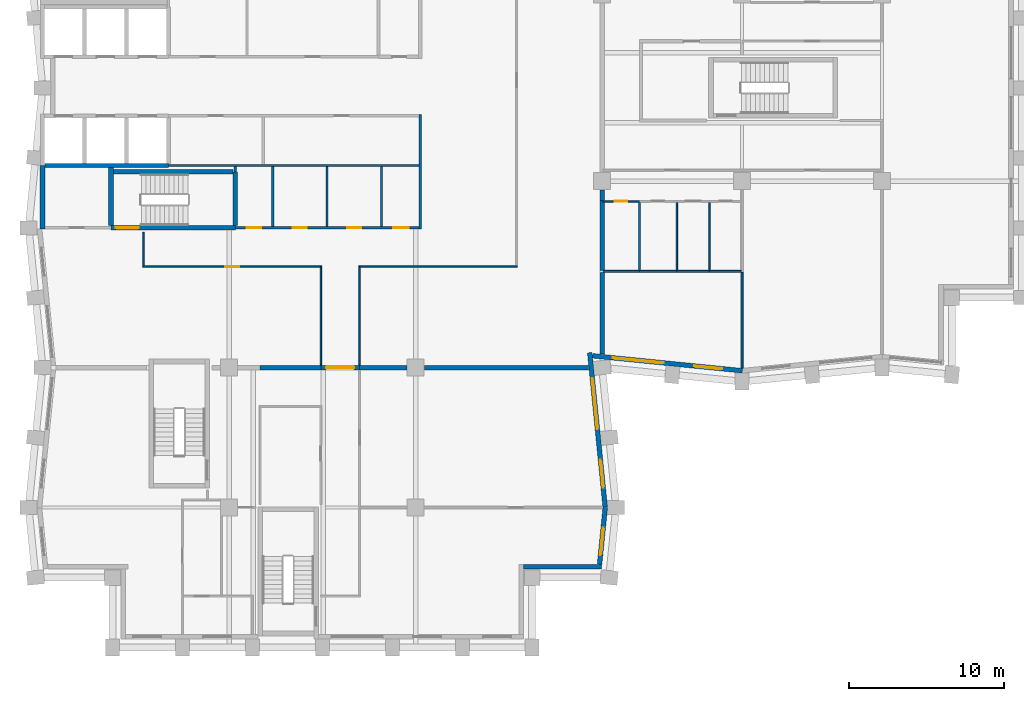
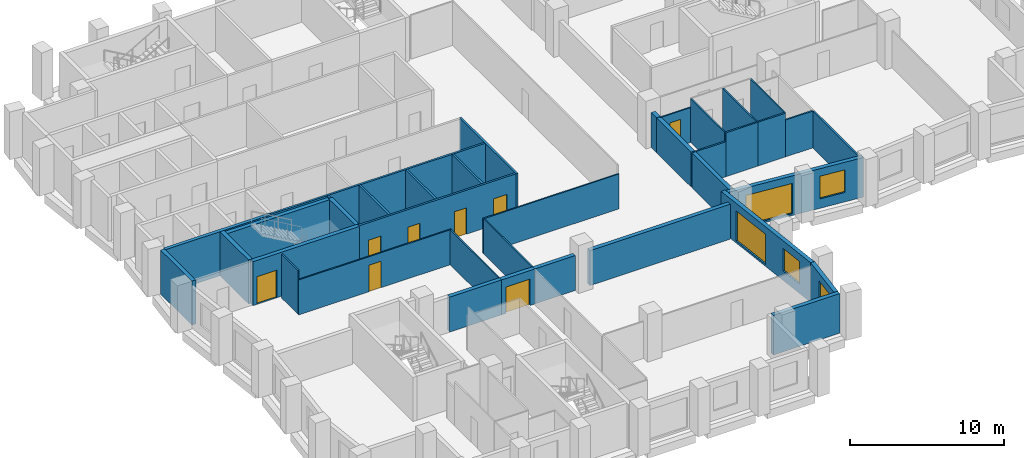
# One storey, part 4 of 10: 38 walls, 8 doors, 5 windows, 13 openings.
"""IFC4 building model written with IfcOpenShell, lengths in metres."""

from ifc_helpers import new_model, si_unit, direction, frame, frame_2d, origin, place, context, subcontext, project, spatial, rectangle, extrude, material, layer, layer_set, type_object, element, fill, save


model = new_model("IFC4")

# Units and contexts
model_context = context("Model", 3, precision=1e-05, world=origin(), true_north=direction((0.0, 1.0)))
body_context = subcontext(model_context, "Body", "Model", "MODEL_VIEW")
ifc_project = project(units=[si_unit("LENGTHUNIT", "METRE"), si_unit("AREAUNIT", "SQUARE_METRE"), si_unit("VOLUMEUNIT", "CUBIC_METRE"), si_unit("PLANEANGLEUNIT", "RADIAN"), si_unit("MASSUNIT", "GRAM", prefix="KILO")], contexts=[model_context])

# Site, building, storey
site_placement = place(None, origin())
site = spatial("IfcSite", under=ifc_project, at=site_placement, CompositionType="ELEMENT")
building_placement = place(site_placement, origin())
building = spatial("IfcBuilding", under=site, at=building_placement, Name="Brondeck Convention Tower", CompositionType="ELEMENT")
storey_placement = place(building_placement, frame((0.0, 0.0, 147.199951171875)))
storey = spatial("IfcBuildingStorey", under=building, at=storey_placement, Name="L35", CompositionType="ELEMENT", Elevation=147.199951171875)

# Wall
ifc_material_1 = material(Name="Concrete compartment wall C30/37", Category="concrete")
ifc_layer_1 = layer(ifc_material_1, 0.300048828125)
ifc_layer_set_1 = layer_set([ifc_layer_1], Name="Compartment wall 300")
wall_type_1 = type_object("IfcWallType", Name="Compartment wall 300", PredefinedType="PARTITIONING", material=ifc_layer_set_1)
wall_1_placement = place(storey_placement, frame((14.0, 27.0, 0.0), z_axis=(0.0, 0.0, 1.0), x_axis=(1.0, 0.0, 0.0)))
element("IfcWall", 1, at=wall_1_placement, inside=storey, type_object=wall_type_1, Name="FLR-L35-W023", PredefinedType="PARTITIONING", context=body_context, shape_type="SweptSolid", body=[
    extrude(rectangle(XDim=3.89990234375, YDim=0.300048828125, at=frame_2d((1.949951171875, 0.0))), origin(), (0.0, 0.0, 1.0), 2.780029296875),
])

# Wall, opening, door
wall_2_placement = place(storey_placement, frame((20.39990234375, 27.0, 0.0), z_axis=(0.0, 0.0, 1.0), x_axis=(-1.0, 0.0, 0.0)))
wall_2 = element("IfcWall", 2, at=wall_2_placement, inside=storey, type_object=wall_type_1, Name="FLR-L35-W024", PredefinedType="PARTITIONING", context=body_context, shape_type="SweptSolid", body=[
    extrude(rectangle(XDim=2.5, YDim=0.300048828125, at=frame_2d((1.25, 0.0))), origin(), (0.0, 0.0, 1.0), 2.780029296875),
])
opening_1_placement = place(wall_2_placement, frame((0.35009765625, 0.0, 0.0)))
opening_1 = element("IfcOpeningElement", 3, at=opening_1_placement, cuts=wall_2, Name="Opening OF-F2-018", PredefinedType="OPENING", context=body_context, shape_type="SweptSolid", body=[
    extrude(rectangle(XDim=1.800048828125, YDim=2.10009765625, at=frame_2d((0.89990234375, 1.050048828125))), frame((0.0, 0.159912109375, 0.0), z_axis=(0.0, -1.0, 0.0), x_axis=(1.0, 0.0, 0.0)), (0.0, 0.0, 1.0), 0.320068359375),
])
ifc_material_2 = material(Name="Steel fire door pair", Category="steel")
door_type_1 = type_object("IfcDoorType", Name="Fire door pair 1800", OperationType="DOUBLE_DOOR_SINGLE_SWING", PredefinedType="DOOR", material=ifc_material_2)
door_1_placement = place(opening_1_placement, origin())
door_1 = element("IfcDoor", 4, at=door_1_placement, inside=storey, type_object=door_type_1, Name="Door OF-F2-018", OperationType="DOUBLE_DOOR_SINGLE_SWING", OverallHeight=2.10009765625, OverallWidth=1.800048828125, PredefinedType="DOOR", context=body_context, shape_type="SweptSolid", body=[
    extrude(rectangle(XDim=1.800048828125, YDim=2.10009765625, at=frame_2d((0.89990234375, 1.050048828125))), frame((0.0, 0.02490234375, 0.0), z_axis=(0.0, -1.0, 0.0), x_axis=(1.0, 0.0, 0.0)), (0.0, 0.0, 1.0), 0.050048828125),
])
fill(opening_1, door_1)

# Walls
wall_3_placement = place(storey_placement, frame((20.39990234375, 27.0, 0.0), z_axis=(0.0, 0.0, 1.0), x_axis=(1.0, 0.0, 0.0)))
element("IfcWall", 5, at=wall_3_placement, inside=storey, type_object=wall_type_1, Name="FLR-L35-W025", PredefinedType="PARTITIONING", context=body_context, shape_type="SweptSolid", body=[
    extrude(rectangle(XDim=3.045166015625, YDim=0.300048828125, at=frame_2d((1.5224609375, 0.0))), origin(), (0.0, 0.0, 1.0), 2.780029296875),
])
wall_4_placement = place(storey_placement, frame((24.554931640625, 27.0, 0.0), z_axis=(0.0, 0.0, 1.0), x_axis=(1.0, 0.0, 0.0)))
element("IfcWall", 6, at=wall_4_placement, inside=storey, type_object=wall_type_1, Name="FLR-L35-W026", PredefinedType="PARTITIONING", context=body_context, shape_type="SweptSolid", body=[
    extrude(rectangle(XDim=10.57080078125, YDim=0.300048828125, at=frame_2d((5.285400390625, 0.0))), origin(), (0.0, 0.0, 1.0), 2.780029296875),
])
wall_5_placement = place(storey_placement, frame((36.0, 27.874267578125, 0.0), z_axis=(0.0, 0.0, 1.0), x_axis=(0.0, 1.0, 0.0)))
element("IfcWall", 7, at=wall_5_placement, inside=storey, type_object=wall_type_1, Name="FLR-L35-W029", PredefinedType="PARTITIONING", context=body_context, shape_type="SweptSolid", body=[
    extrude(rectangle(XDim=5.26318359375, YDim=0.300048828125, at=frame_2d((2.631591796875, 0.0))), origin(), (0.0, 0.0, 1.0), 2.780029296875),
])
wall_6_placement = place(storey_placement, frame((36.0, 33.262451171875, 0.0), z_axis=(0.0, 0.0, 1.0), x_axis=(0.0, 1.0, 0.0)))
element("IfcWall", 8, at=wall_6_placement, inside=storey, type_object=wall_type_1, Name="FLR-L35-W035", PredefinedType="PARTITIONING", context=body_context, shape_type="SweptSolid", body=[
    extrude(rectangle(XDim=4.482666015625, YDim=0.300048828125, at=frame_2d((2.2412109375, 0.0))), origin(), (0.0, 0.0, 1.0), 2.780029296875),
])
wall_7_placement = place(storey_placement, frame((36.0, 37.75, 0.0), z_axis=(0.0, 0.0, 1.0), x_axis=(0.0, 1.0, 0.0)))
element("IfcWall", 9, at=wall_7_placement, inside=storey, type_object=wall_type_1, Name="FLR-L35-W048", PredefinedType="PARTITIONING", context=body_context, shape_type="SweptSolid", body=[
    extrude(rectangle(XDim=0.695068359375, YDim=0.300048828125, at=frame_2d((0.34765625, 0.0))), origin(), (0.0, 0.0, 1.0), 2.780029296875),
])

# Wall, openings, doors
ifc_material_3 = material(Name="Concrete C70/85", Category="concrete")
ifc_layer_2 = layer(ifc_material_3, 0.14990234375)
ifc_layer_set_2 = layer_set([ifc_layer_2], Name="Core beam-seat wall 150 Concrete C70/85")
wall_type_2 = type_object("IfcWallType", Name="Core beam-seat wall 150 Concrete C70/85", PredefinedType="SHEAR", material=ifc_layer_set_2)
wall_8_placement = place(storey_placement, frame((12.39990234375, 36.0, 0.0), z_axis=(0.0, 0.0, 1.0), x_axis=(1.0, 0.0, 0.0)))
wall_8 = element("IfcWall", 10, at=wall_8_placement, inside=storey, type_object=wall_type_2, Name="L35 core wall", PredefinedType="SHEAR", context=body_context, shape_type="SweptSolid", body=[
    extrude(rectangle(XDim=11.8251953125, YDim=0.14990234375, at=frame_2d((5.91259765625, 0.0))), origin(), (0.0, 0.0, 1.0), 3.5),
])
opening_2_placement = place(wall_8_placement, frame((0.72509765625, 0.0, 0.0)))
opening_2 = element("IfcOpeningElement", 11, at=opening_2_placement, cuts=wall_8, Name="Opening C21-03", PredefinedType="OPENING", context=body_context, shape_type="SweptSolid", body=[
    extrude(rectangle(XDim=0.949951171875, YDim=2.10009765625, at=frame_2d((0.47509765625, 1.050048828125))), frame((0.0, 0.0849609375, 0.0), z_axis=(0.0, -1.0, 0.0), x_axis=(1.0, 0.0, 0.0)), (0.0, 0.0, 1.0), 0.169921875),
])
opening_3_placement = place(wall_8_placement, frame((3.699951171875, 0.0, 0.0)))
opening_3 = element("IfcOpeningElement", 12, at=opening_3_placement, cuts=wall_8, Name="Opening C21-04", PredefinedType="OPENING", context=body_context, shape_type="SweptSolid", body=[
    extrude(rectangle(XDim=0.89990234375, YDim=2.10009765625, at=frame_2d((0.449951171875, 1.050048828125))), frame((0.0, 0.0849609375, 0.0), z_axis=(0.0, -1.0, 0.0), x_axis=(1.0, 0.0, 0.0)), (0.0, 0.0, 1.0), 0.169921875),
])
opening_4_placement = place(wall_8_placement, frame((7.199951171875, 0.0, 0.0)))
opening_4 = element("IfcOpeningElement", 13, at=opening_4_placement, cuts=wall_8, Name="Opening C21-05", PredefinedType="OPENING", context=body_context, shape_type="SweptSolid", body=[
    extrude(rectangle(XDim=0.89990234375, YDim=2.10009765625, at=frame_2d((0.449951171875, 1.050048828125))), frame((0.0, 0.0849609375, 0.0), z_axis=(0.0, -1.0, 0.0), x_axis=(1.0, 0.0, 0.0)), (0.0, 0.0, 1.0), 0.169921875),
])
opening_5_placement = place(wall_8_placement, frame((10.14990234375, 0.0, 0.0)))
opening_5 = element("IfcOpeningElement", 14, at=opening_5_placement, cuts=wall_8, Name="Opening C21-06", PredefinedType="OPENING", context=body_context, shape_type="SweptSolid", body=[
    extrude(rectangle(XDim=1.0, YDim=2.10009765625, at=frame_2d((0.5, 1.050048828125))), frame((0.0, 0.0849609375, 0.0), z_axis=(0.0, -1.0, 0.0), x_axis=(1.0, 0.0, 0.0)), (0.0, 0.0, 1.0), 0.169921875),
])
ifc_material_4 = material(Name="Steel fire door", Category="steel")
door_type_2 = type_object("IfcDoorType", Name="Room door 1000x2100 EI 60", OperationType="NOTDEFINED", PredefinedType="DOOR", material=ifc_material_4)
door_2_placement = place(opening_5_placement, origin())
door_2 = element("IfcDoor", 15, at=door_2_placement, inside=storey, type_object=door_type_2, Name="L35 Room door FR-4", OperationType="SINGLE_SWING_LEFT", OverallHeight=2.10009765625, OverallWidth=1.0, PredefinedType="DOOR", context=body_context, shape_type="SweptSolid", body=[
    extrude(rectangle(XDim=1.0, YDim=2.10009765625, at=frame_2d((0.5, 1.050048828125))), frame((0.0, 0.02490234375, 0.0), z_axis=(0.0, -1.0, 0.0), x_axis=(1.0, 0.0, 0.0)), (0.0, 0.0, 1.0), 0.050048828125),
])
fill(opening_5, door_2)
door_type_3 = type_object("IfcDoorType", Name="Room door 900x2100 EI 60", OperationType="NOTDEFINED", PredefinedType="DOOR", material=ifc_material_4)
door_3_placement = place(opening_3_placement, origin())
door_3 = element("IfcDoor", 16, at=door_3_placement, inside=storey, type_object=door_type_3, Name="L35 Room door FR-2", OperationType="SINGLE_SWING_LEFT", OverallHeight=2.10009765625, OverallWidth=0.89990234375, PredefinedType="DOOR", context=body_context, shape_type="SweptSolid", body=[
    extrude(rectangle(XDim=0.89990234375, YDim=2.10009765625, at=frame_2d((0.449951171875, 1.050048828125))), frame((0.0, 0.02490234375, 0.0), z_axis=(0.0, -1.0, 0.0), x_axis=(1.0, 0.0, 0.0)), (0.0, 0.0, 1.0), 0.050048828125),
])
fill(opening_3, door_3)
door_4_placement = place(opening_4_placement, origin())
door_4 = element("IfcDoor", 17, at=door_4_placement, inside=storey, type_object=door_type_3, Name="L35 Room door FR-3", OperationType="SINGLE_SWING_RIGHT", OverallHeight=2.10009765625, OverallWidth=0.89990234375, PredefinedType="DOOR", context=body_context, shape_type="SweptSolid", body=[
    extrude(rectangle(XDim=0.89990234375, YDim=2.10009765625, at=frame_2d((0.449951171875, 1.050048828125))), frame((0.0, 0.02490234375, 0.0), z_axis=(0.0, -1.0, 0.0), x_axis=(1.0, 0.0, 0.0)), (0.0, 0.0, 1.0), 0.050048828125),
])
fill(opening_4, door_4)
door_type_4 = type_object("IfcDoorType", Name="Room door 950x2100 EI 60", OperationType="NOTDEFINED", PredefinedType="DOOR", material=ifc_material_4)
door_5_placement = place(opening_2_placement, origin())
door_5 = element("IfcDoor", 18, at=door_5_placement, inside=storey, type_object=door_type_4, Name="L35 Room door FR-1", OperationType="SINGLE_SWING_RIGHT", OverallHeight=2.10009765625, OverallWidth=0.949951171875, PredefinedType="DOOR", context=body_context, shape_type="SweptSolid", body=[
    extrude(rectangle(XDim=0.949951171875, YDim=2.10009765625, at=frame_2d((0.47509765625, 1.050048828125))), frame((0.0, 0.02490234375, 0.0), z_axis=(0.0, -1.0, 0.0), x_axis=(1.0, 0.0, 0.0)), (0.0, 0.0, 1.0), 0.050048828125),
])
fill(opening_2, door_5)

# Walls
ifc_layer_3 = layer(ifc_material_3, 0.300048828125)
ifc_layer_set_3 = layer_set([ifc_layer_3], Name="Core outer wall 300 Concrete C70/85")
wall_type_3 = type_object("IfcWallType", Name="Core outer wall 300 Concrete C70/85", PredefinedType="SHEAR", material=ifc_layer_set_3)
wall_9_placement = place(storey_placement, frame((0.0, 35.925048828125, 0.0), z_axis=(0.0, 0.0, 1.0), x_axis=(0.0, 1.0, 0.0)))
element("IfcWall", 19, at=wall_9_placement, inside=storey, type_object=wall_type_3, Name="L35 core wall", PredefinedType="SHEAR", context=body_context, shape_type="SweptSolid", body=[
    extrude(rectangle(XDim=4.074951171875, YDim=0.300048828125, at=frame_2d((2.03759765625, 0.0))), origin(), (0.0, 0.0, 1.0), 3.5),
])
ifc_material_5 = material(Name="Fire-rated gypsum board partition")
ifc_layer_4 = layer(ifc_material_5, 0.14990234375)
ifc_layer_set_4 = layer_set([ifc_layer_4], Name="Core partition 150 EI 60")
wall_type_4 = type_object("IfcWallType", Name="Core partition 150 EI 60", PredefinedType="PARTITIONING", material=ifc_layer_set_4)
wall_10_placement = place(storey_placement, frame((8.10009765625, 40.0, 0.0), z_axis=(0.0, 0.0, 1.0), x_axis=(1.0, 0.0, 0.0)))
element("IfcWall", 20, at=wall_10_placement, inside=storey, type_object=wall_type_4, Name="L35 core wall", PredefinedType="PARTITIONING", context=body_context, shape_type="SweptSolid", body=[
    extrude(rectangle(XDim=16.125, YDim=0.14990234375, at=frame_2d((8.0625, 0.0))), origin(), (0.0, 0.0, 1.0), 3.5),
])
wall_11_placement = place(storey_placement, frame((12.39990234375, 39.60009765625, 0.0), z_axis=(0.0, 0.0, 1.0), x_axis=(0.0, 1.0, 0.0)))
element("IfcWall", 21, at=wall_11_placement, inside=storey, type_object=wall_type_4, Name="L35 core wall", PredefinedType="PARTITIONING", context=body_context, shape_type="SweptSolid", body=[
    extrude(rectangle(XDim=0.324951171875, YDim=0.14990234375, at=frame_2d((0.16259765625, 0.0))), origin(), (0.0, 0.0, 1.0), 3.5),
])
for number, where, z_axis, x_axis, name in (
    (22, (14.800048828125, 36.074951171875, 0.0), (0.0, 0.0, 1.0), (0.0, 1.0, 0.0), "L35 core wall"),
    (23, (18.300048828125, 36.074951171875, 0.0), (0.0, 0.0, 1.0), (0.0, 1.0, 0.0), "L35 core wall"),
    (24, (21.800048828125, 36.074951171875, 0.0), (0.0, 0.0, 1.0), (0.0, 1.0, 0.0), "L35 core wall"),
):
    element("IfcWall", number, at=place(storey_placement, frame(where, z_axis=z_axis, x_axis=x_axis)), inside=storey, type_object=wall_type_4, Name=name, PredefinedType="PARTITIONING", context=body_context, shape_type="SweptSolid", body=[
        extrude(rectangle(XDim=3.85009765625, YDim=0.14990234375, at=frame_2d((1.925048828125, 0.0))), origin(), (0.0, 0.0, 1.0), 3.5),
    ])
wall_12_placement = place(storey_placement, frame((24.300048828125, 35.925048828125, 0.0), z_axis=(0.0, 0.0, 1.0), x_axis=(0.0, 1.0, 0.0)))
element("IfcWall", 25, at=wall_12_placement, inside=storey, type_object=wall_type_4, Name="L35 core wall", PredefinedType="PARTITIONING", context=body_context, shape_type="SweptSolid", body=[
    extrude(rectangle(XDim=7.349853515625, YDim=0.14990234375, at=frame_2d((3.6748046875, 0.0))), origin(), (0.0, 0.0, 1.0), 3.5),
])
ifc_material_6 = material(Name="Precast concrete C50/60 bronze finish", Category="concrete")
ifc_layer_5 = layer(ifc_material_6, 0.070068359375, Name="Bronze precast facing")
ifc_material_7 = material(Name="Mineral wool")
ifc_layer_6 = layer(ifc_material_7, 0.159912109375, Name="Insulation")
ifc_material_8 = material(Name="Concrete C35/45", Category="concrete")
ifc_layer_7 = layer(ifc_material_8, 0.070068359375, Name="Backing")
ifc_layer_set_5 = layer_set([ifc_layer_5, ifc_layer_6, ifc_layer_7], Name="External infill wall, precast concrete C50/60 bronze facing")
wall_type_5 = type_object("IfcWallType", Name="External infill wall, precast concrete C50/60 bronze facing", PredefinedType="SOLIDWALL", material=ifc_layer_set_5)
wall_13_placement = place(storey_placement, frame((35.952392578125, 14.199951171875, 0.0), z_axis=(0.0, 0.0, 1.0), x_axis=(-1.0, 0.0, 0.0)))
element("IfcWall", 26, at=wall_13_placement, inside=storey, type_object=wall_type_5, Name="ENV-EW-L35-P1-NC-SEB9-02", PredefinedType="SOLIDWALL", context=body_context, shape_type="SweptSolid", body=[
    extrude(rectangle(XDim=5.00244140625, YDim=0.300048828125, at=frame_2d((2.501220703125, 0.0))), origin(), (0.0, 0.0, 1.0), 3.150146484375),
])

# Wall, opening, window
wall_14_placement = place(storey_placement, frame((36.197998046875, 18.014892578125, 0.0), z_axis=(0.0, 0.0, 1.0), x_axis=(-0.099529980022, -0.99503456376, 0.0)))
wall_14 = element("IfcWall", 27, at=wall_14_placement, inside=storey, type_object=wall_type_5, Name="ENV-EW-L35-P1-B-E-02", PredefinedType="SOLIDWALL", context=body_context, shape_type="SweptSolid", body=[
    extrude(rectangle(XDim=3.681884765625, YDim=0.300048828125, at=frame_2d((1.8408203125, 0.0))), origin(), (0.0, 0.0, 1.0), 3.150146484375),
])
opening_6_placement = place(wall_14_placement, frame((1.30615234375, 0.0, 0.75)))
opening_6 = element("IfcOpeningElement", 28, at=opening_6_placement, cuts=wall_14, Name="Opening W10", PredefinedType="OPENING", context=body_context, shape_type="SweptSolid", body=[
    extrude(rectangle(XDim=1.800048828125, YDim=1.800048828125, at=frame_2d((0.89990234375, 0.89990234375))), frame((0.0, 0.159912109375, 0.0), z_axis=(0.0, -1.0, 0.0), x_axis=(1.0, 0.0, 0.0)), (0.0, 0.0, 1.0), 0.320068359375),
])
ifc_material_9 = material(Name="Bronze tinted double glazing", Category="glass")
window_type_1 = type_object("IfcWindowType", Name="Punched window, bronze tinted", PartitioningType="SINGLE_PANEL", PredefinedType="WINDOW", material=ifc_material_9)
window_1_placement = place(opening_6_placement, origin())
window_1 = element("IfcWindow", 29, at=window_1_placement, inside=storey, type_object=window_type_1, Name="ENV-WN-L35-P1-B-E-02", OverallHeight=1.800048828125, OverallWidth=1.800048828125, PartitioningType="SINGLE_PANEL", PredefinedType="WINDOW", context=body_context, shape_type="SweptSolid", body=[
    extrude(rectangle(XDim=1.800048828125, YDim=1.800048828125, at=frame_2d((0.89990234375, 0.89990234375))), frame((0.0, 0.030029296875, 0.0), z_axis=(0.0, -1.0, 0.0), x_axis=(1.0, 0.0, 0.0)), (0.0, 0.0, 1.0), 0.06005859375),
])
fill(opening_6, window_1)

# Wall, openings, windows
wall_15_placement = place(storey_placement, frame((35.2001953125, 27.964111328125, 0.0), z_axis=(0.0, 0.0, 1.0), x_axis=(0.099501297882, -0.995037432321, 0.0)))
wall_15 = element("IfcWall", 30, at=wall_15_placement, inside=storey, type_object=wall_type_5, Name="ENV-EW-L35-P1-B-E-01", PredefinedType="SOLIDWALL", context=body_context, shape_type="SweptSolid", body=[
    extrude(rectangle(XDim=9.98388671875, YDim=0.300048828125, at=frame_2d((4.991943359375, 0.0))), origin(), (0.0, 0.0, 1.0), 3.150146484375),
])
opening_7_placement = place(wall_15_placement, frame((1.650146484375, 0.0, 0.14990234375)))
opening_7 = element("IfcOpeningElement", 31, at=opening_7_placement, cuts=wall_15, Name="Opening W9", PredefinedType="OPENING", context=body_context, shape_type="SweptSolid", body=[
    extrude(rectangle(XDim=3.300048828125, YDim=2.39990234375, at=frame_2d((1.64990234375, 1.199951171875))), frame((0.0, 0.159912109375, 0.0), z_axis=(0.0, -1.0, 0.0), x_axis=(1.0, 0.0, 0.0)), (0.0, 0.0, 1.0), 0.320068359375),
])
opening_8_placement = place(wall_15_placement, frame((6.922607421875, 0.0, 0.75)))
opening_8 = element("IfcOpeningElement", 32, at=opening_8_placement, cuts=wall_15, Name="Opening W10", PredefinedType="OPENING", context=body_context, shape_type="SweptSolid", body=[
    extrude(rectangle(XDim=1.800048828125, YDim=1.800048828125, at=frame_2d((0.89990234375, 0.89990234375))), frame((0.0, 0.159912109375, 0.0), z_axis=(0.0, -1.0, 0.0), x_axis=(1.0, 0.0, 0.0)), (0.0, 0.0, 1.0), 0.320068359375),
])
window_type_2 = type_object("IfcWindowType", Name="Glazed flute window, bronze tinted", PartitioningType="SINGLE_PANEL", PredefinedType="WINDOW", material=ifc_material_9)
window_2_placement = place(opening_7_placement, origin())
window_2 = element("IfcWindow", 33, at=window_2_placement, inside=storey, type_object=window_type_2, Name="ENV-WN-L35-P1-B-E-00", OverallHeight=2.39990234375, OverallWidth=3.300048828125, PartitioningType="SINGLE_PANEL", PredefinedType="WINDOW", context=body_context, shape_type="SweptSolid", body=[
    extrude(rectangle(XDim=3.300048828125, YDim=2.39990234375, at=frame_2d((1.64990234375, 1.199951171875))), frame((0.0, 0.030029296875, 0.0), z_axis=(0.0, -1.0, 0.0), x_axis=(1.0, 0.0, 0.0)), (0.0, 0.0, 1.0), 0.06005859375),
])
fill(opening_7, window_2)
window_3_placement = place(opening_8_placement, origin())
window_3 = element("IfcWindow", 34, at=window_3_placement, inside=storey, type_object=window_type_1, Name="ENV-WN-L35-P1-B-E-01", OverallHeight=1.800048828125, OverallWidth=1.800048828125, PartitioningType="SINGLE_PANEL", PredefinedType="WINDOW", context=body_context, shape_type="SweptSolid", body=[
    extrude(rectangle(XDim=1.800048828125, YDim=1.800048828125, at=frame_2d((0.89990234375, 0.89990234375))), frame((0.0, 0.030029296875, 0.0), z_axis=(0.0, -1.0, 0.0), x_axis=(1.0, 0.0, 0.0)), (0.0, 0.0, 1.0), 0.06005859375),
])
fill(opening_8, window_3)

wall_16_placement = place(storey_placement, frame((45.014892578125, 26.802001953125, 0.0), z_axis=(0.0, 0.0, 1.0), x_axis=(-0.995037689759, 0.099498723402, 0.0)))
wall_16 = element("IfcWall", 35, at=wall_16_placement, inside=storey, type_object=wall_type_5, Name="ENV-EW-L35-P1-A-S-00", PredefinedType="SOLIDWALL", context=body_context, shape_type="SweptSolid", body=[
    extrude(rectangle(XDim=9.677490234375, YDim=0.300048828125, at=frame_2d((4.8388671875, 0.0))), origin(), (0.0, 0.0, 1.0), 3.150146484375),
])
opening_9_placement = place(wall_16_placement, frame((1.30615234375, 0.0, 0.75)))
opening_9 = element("IfcOpeningElement", 36, at=opening_9_placement, cuts=wall_16, Name="Opening W10", PredefinedType="OPENING", context=body_context, shape_type="SweptSolid", body=[
    extrude(rectangle(XDim=1.800048828125, YDim=1.800048828125, at=frame_2d((0.89990234375, 0.89990234375))), frame((0.0, 0.159912109375, 0.0), z_axis=(0.0, -1.0, 0.0), x_axis=(1.0, 0.0, 0.0)), (0.0, 0.0, 1.0), 0.320068359375),
])
opening_10_placement = place(wall_16_placement, frame((5.07861328125, 0.0, 0.14990234375)))
opening_10 = element("IfcOpeningElement", 37, at=opening_10_placement, cuts=wall_16, Name="Opening W9", PredefinedType="OPENING", context=body_context, shape_type="SweptSolid", body=[
    extrude(rectangle(XDim=3.300048828125, YDim=2.39990234375, at=frame_2d((1.64990234375, 1.199951171875))), frame((0.0, 0.159912109375, 0.0), z_axis=(0.0, -1.0, 0.0), x_axis=(1.0, 0.0, 0.0)), (0.0, 0.0, 1.0), 0.320068359375),
])
window_4_placement = place(opening_10_placement, origin())
window_4 = element("IfcWindow", 38, at=window_4_placement, inside=storey, type_object=window_type_2, Name="ENV-WN-L35-P1-A-S-00", OverallHeight=2.39990234375, OverallWidth=3.300048828125, PartitioningType="SINGLE_PANEL", PredefinedType="WINDOW", context=body_context, shape_type="SweptSolid", body=[
    extrude(rectangle(XDim=3.300048828125, YDim=2.39990234375, at=frame_2d((1.64990234375, 1.199951171875))), frame((0.0, 0.030029296875, 0.0), z_axis=(0.0, -1.0, 0.0), x_axis=(1.0, 0.0, 0.0)), (0.0, 0.0, 1.0), 0.06005859375),
])
fill(opening_10, window_4)
window_5_placement = place(opening_9_placement, origin())
window_5 = element("IfcWindow", 39, at=window_5_placement, inside=storey, type_object=window_type_1, Name="ENV-WN-L35-P1-A-S-01", OverallHeight=1.800048828125, OverallWidth=1.800048828125, PartitioningType="SINGLE_PANEL", PredefinedType="WINDOW", context=body_context, shape_type="SweptSolid", body=[
    extrude(rectangle(XDim=1.800048828125, YDim=1.800048828125, at=frame_2d((0.89990234375, 0.89990234375))), frame((0.0, 0.030029296875, 0.0), z_axis=(0.0, -1.0, 0.0), x_axis=(1.0, 0.0, 0.0)), (0.0, 0.0, 1.0), 0.06005859375),
])
fill(opening_9, window_5)

# Walls
ifc_layer_8 = layer(ifc_material_3, 0.25)
ifc_layer_set_6 = layer_set([ifc_layer_8], Name="Lift shaft wall 250 Concrete C70/85")
wall_type_6 = type_object("IfcWallType", Name="Lift shaft wall 250 Concrete C70/85", PredefinedType="SHEAR", material=ifc_layer_set_6)
wall_17_placement = place(storey_placement, frame((0.14990234375, 40.0, 0.0), z_axis=(0.0, 0.0, 1.0), x_axis=(1.0, 0.0, 0.0)))
element("IfcWall", 40, at=wall_17_placement, inside=storey, type_object=wall_type_6, Name="L35 core wall", PredefinedType="SHEAR", context=body_context, shape_type="SweptSolid", body=[
    extrude(rectangle(XDim=7.9501953125, YDim=0.25, at=frame_2d((3.97509765625, 0.0))), origin(), (0.0, 0.0, 1.0), 3.5),
])
ifc_material_10 = material(Name="Gypsum board shaft wall on steel studs", Category="steel")
ifc_layer_9 = layer(ifc_material_10, 0.125)
ifc_layer_set_7 = layer_set([ifc_layer_9], Name="Riser wall 125")
wall_type_7 = type_object("IfcWallType", Name="Riser wall 125", PredefinedType="PARTITIONING", material=ifc_layer_set_7)
wall_18_placement = place(storey_placement, frame((45.0, 33.137451171875, 0.0), z_axis=(0.0, 0.0, 1.0), x_axis=(0.0, -1.0, 0.0)))
element("IfcWall", 41, at=wall_18_placement, inside=storey, type_object=wall_type_7, Name="FLR-L35-W030", PredefinedType="PARTITIONING", context=body_context, shape_type="SweptSolid", body=[
    extrude(rectangle(XDim=6.163330078125, YDim=0.125, at=frame_2d((3.08154296875, 0.0))), origin(), (0.0, 0.0, 1.0), 2.929931640625),
])
wall_19_placement = place(storey_placement, frame((38.39990234375, 33.199951171875, 0.0), z_axis=(0.0, 0.0, 1.0), x_axis=(-1.0, 0.0, 0.0)))
element("IfcWall", 42, at=wall_19_placement, inside=storey, type_object=wall_type_7, Name="FLR-L35-W031", PredefinedType="PARTITIONING", context=body_context, shape_type="SweptSolid", body=[
    extrude(rectangle(XDim=2.33740234375, YDim=0.125, at=frame_2d((1.168701171875, 0.0))), origin(), (0.0, 0.0, 1.0), 2.780029296875),
])
wall_20_placement = place(storey_placement, frame((40.800048828125, 33.199951171875, 0.0), z_axis=(0.0, 0.0, 1.0), x_axis=(-1.0, 0.0, 0.0)))
element("IfcWall", 43, at=wall_20_placement, inside=storey, type_object=wall_type_7, Name="FLR-L35-W032", PredefinedType="PARTITIONING", context=body_context, shape_type="SweptSolid", body=[
    extrude(rectangle(XDim=2.400146484375, YDim=0.125, at=frame_2d((1.2001953125, 0.0))), origin(), (0.0, 0.0, 1.0), 3.47998046875),
])
wall_21_placement = place(storey_placement, frame((42.89990234375, 33.199951171875, 0.0), z_axis=(0.0, 0.0, 1.0), x_axis=(-1.0, 0.0, 0.0)))
element("IfcWall", 44, at=wall_21_placement, inside=storey, type_object=wall_type_7, Name="FLR-L35-W033", PredefinedType="PARTITIONING", context=body_context, shape_type="SweptSolid", body=[
    extrude(rectangle(XDim=2.099853515625, YDim=0.125, at=frame_2d((1.0498046875, 0.0))), origin(), (0.0, 0.0, 1.0), 3.47998046875),
])
wall_22_placement = place(storey_placement, frame((44.9375, 33.199951171875, 0.0), z_axis=(0.0, 0.0, 1.0), x_axis=(-1.0, 0.0, 0.0)))
element("IfcWall", 45, at=wall_22_placement, inside=storey, type_object=wall_type_7, Name="FLR-L35-W034", PredefinedType="PARTITIONING", context=body_context, shape_type="SweptSolid", body=[
    extrude(rectangle(XDim=2.03759765625, YDim=0.125, at=frame_2d((1.018798828125, 0.0))), origin(), (0.0, 0.0, 1.0), 2.929931640625),
])
ifc_material_11 = material(Name="Gypsum board partition on steel studs", Category="steel")
ifc_layer_10 = layer(ifc_material_11, 0.10009765625)
ifc_layer_set_8 = layer_set([ifc_layer_10], Name="Room partition 100")
wall_type_8 = type_object("IfcWallType", Name="Room partition 100", PredefinedType="PARTITIONING", material=ifc_layer_set_8)
for number, where, z_axis, x_axis, name in (
    (46, (17.89990234375, 27.169921875, 0.0), (0.0, 0.0, 1.0), (0.0, 1.0, 0.0), "FLR-L35-W027"),
    (47, (20.39990234375, 33.449951171875, 0.0), (0.0, 0.0, 1.0), (0.0, -1.0, 0.0), "FLR-L35-W036"),
):
    element("IfcWall", number, at=place(storey_placement, frame(where, z_axis=z_axis, x_axis=x_axis)), inside=storey, type_object=wall_type_8, Name=name, PredefinedType="PARTITIONING", context=body_context, shape_type="SweptSolid", body=[
        extrude(rectangle(XDim=6.280029296875, YDim=0.10009765625, at=frame_2d((3.14013671875, 0.0))), origin(), (0.0, 0.0, 1.0), 2.780029296875),
    ])

# Wall, opening, door
wall_23_placement = place(storey_placement, frame((17.949951171875, 33.5, 0.0), z_axis=(0.0, 0.0, 1.0), x_axis=(-1.0, 0.0, 0.0)))
wall_23 = element("IfcWall", 48, at=wall_23_placement, inside=storey, type_object=wall_type_8, Name="FLR-L35-W037", PredefinedType="PARTITIONING", context=body_context, shape_type="SweptSolid", body=[
    extrude(rectangle(XDim=11.5, YDim=0.10009765625, at=frame_2d((5.75, 0.0))), origin(), (0.0, 0.0, 1.0), 2.780029296875),
])
opening_11_placement = place(wall_23_placement, frame((5.300048828125, 0.0, 0.0)))
opening_11 = element("IfcOpeningElement", 49, at=opening_11_placement, cuts=wall_23, Name="Opening OF-F2-016", PredefinedType="OPENING", context=body_context, shape_type="SweptSolid", body=[
    extrude(rectangle(XDim=0.89990234375, YDim=2.10009765625, at=frame_2d((0.449951171875, 1.050048828125))), frame((0.0, 0.06005859375, 0.0), z_axis=(0.0, -1.0, 0.0), x_axis=(1.0, 0.0, 0.0)), (0.0, 0.0, 1.0), 0.1201171875),
])
ifc_material_12 = material(Name="Solid timber door leaf", Category="wood")
door_type_5 = type_object("IfcDoorType", Name="Single door 900", OperationType="NOTDEFINED", PredefinedType="DOOR", material=ifc_material_12)
door_6_placement = place(opening_11_placement, origin())
door_6 = element("IfcDoor", 50, at=door_6_placement, inside=storey, type_object=door_type_5, Name="Door OF-F2-016", OperationType="SINGLE_SWING_LEFT", OverallHeight=2.10009765625, OverallWidth=0.89990234375, PredefinedType="DOOR", context=body_context, shape_type="SweptSolid", body=[
    extrude(rectangle(XDim=0.89990234375, YDim=2.10009765625, at=frame_2d((0.449951171875, 1.050048828125))), frame((0.0, 0.02490234375, 0.0), z_axis=(0.0, -1.0, 0.0), x_axis=(1.0, 0.0, 0.0)), (0.0, 0.0, 1.0), 0.050048828125),
])
fill(opening_11, door_6)

# Walls
wall_24_placement = place(storey_placement, frame((30.550048828125, 33.5, 0.0), z_axis=(0.0, 0.0, 1.0), x_axis=(-1.0, 0.0, 0.0)))
element("IfcWall", 51, at=wall_24_placement, inside=storey, type_object=wall_type_8, Name="FLR-L35-W038", PredefinedType="PARTITIONING", context=body_context, shape_type="SweptSolid", body=[
    extrude(rectangle(XDim=10.199951171875, YDim=0.10009765625, at=frame_2d((5.10009765625, 0.0))), origin(), (0.0, 0.0, 1.0), 2.780029296875),
])
wall_25_placement = place(storey_placement, frame((6.5, 33.550048828125, 0.0), z_axis=(0.0, 0.0, 1.0), x_axis=(0.0, 1.0, 0.0)))
element("IfcWall", 52, at=wall_25_placement, inside=storey, type_object=wall_type_8, Name="FLR-L35-W039", PredefinedType="PARTITIONING", context=body_context, shape_type="SweptSolid", body=[
    extrude(rectangle(XDim=2.14990234375, YDim=0.10009765625, at=frame_2d((1.074951171875, 0.0))), origin(), (0.0, 0.0, 1.0), 3.47998046875),
])
for number, where, z_axis, x_axis, name in (
    (53, (38.39990234375, 37.64990234375, 0.0), (0.0, 0.0, 1.0), (0.0, -1.0, 0.0), "FLR-L35-W040"),
    (54, (40.800048828125, 37.64990234375, 0.0), (0.0, 0.0, 1.0), (0.0, -1.0, 0.0), "FLR-L35-W041"),
    (55, (42.89990234375, 37.64990234375, 0.0), (0.0, 0.0, 1.0), (0.0, -1.0, 0.0), "FLR-L35-W042"),
):
    element("IfcWall", number, at=place(storey_placement, frame(where, z_axis=z_axis, x_axis=x_axis)), inside=storey, type_object=wall_type_8, Name=name, PredefinedType="PARTITIONING", context=body_context, shape_type="SweptSolid", body=[
        extrude(rectangle(XDim=4.387451171875, YDim=0.10009765625, at=frame_2d((2.19384765625, 0.0))), origin(), (0.0, 0.0, 1.0), 3.47998046875),
    ])

# Wall, opening, door
wall_26_placement = place(storey_placement, frame((38.39990234375, 37.699951171875, 0.0), z_axis=(0.0, 0.0, 1.0), x_axis=(-1.0, 0.0, 0.0)))
wall_26 = element("IfcWall", 56, at=wall_26_placement, inside=storey, type_object=wall_type_8, Name="FLR-L35-W044", PredefinedType="PARTITIONING", context=body_context, shape_type="SweptSolid", body=[
    extrude(rectangle(XDim=2.349853515625, YDim=0.10009765625, at=frame_2d((1.1748046875, 0.0))), origin(), (0.0, 0.0, 1.0), 2.780029296875),
])
opening_12_placement = place(wall_26_placement, frame((0.800048828125, 0.0, 0.0)))
opening_12 = element("IfcOpeningElement", 57, at=opening_12_placement, cuts=wall_26, Name="Opening OF-F2-007", PredefinedType="OPENING", context=body_context, shape_type="SweptSolid", body=[
    extrude(rectangle(XDim=0.800048828125, YDim=2.10009765625, at=frame_2d((0.39990234375, 1.050048828125))), frame((0.0, 0.06005859375, 0.0), z_axis=(0.0, -1.0, 0.0), x_axis=(1.0, 0.0, 0.0)), (0.0, 0.0, 1.0), 0.1201171875),
])
door_type_6 = type_object("IfcDoorType", Name="En-suite door 800", OperationType="NOTDEFINED", PredefinedType="DOOR", material=ifc_material_12)
door_7_placement = place(opening_12_placement, origin())
door_7 = element("IfcDoor", 58, at=door_7_placement, inside=storey, type_object=door_type_6, Name="Door OF-F2-007", OperationType="SINGLE_SWING_LEFT", OverallHeight=2.10009765625, OverallWidth=0.800048828125, PredefinedType="DOOR", context=body_context, shape_type="SweptSolid", body=[
    extrude(rectangle(XDim=0.800048828125, YDim=2.10009765625, at=frame_2d((0.39990234375, 1.050048828125))), frame((0.0, 0.02490234375, 0.0), z_axis=(0.0, -1.0, 0.0), x_axis=(1.0, 0.0, 0.0)), (0.0, 0.0, 1.0), 0.050048828125),
])
fill(opening_12, door_7)

ifc_layer_11 = layer(ifc_material_3, 0.300048828125)
ifc_layer_set_9 = layer_set([ifc_layer_11], Name="Stair enclosure wall 300 Concrete C70/85")
wall_type_9 = type_object("IfcWallType", Name="Stair enclosure wall 300 Concrete C70/85", PredefinedType="SHEAR", material=ifc_layer_set_9)
wall_27_placement = place(storey_placement, frame((4.39990234375, 36.0, 0.0), z_axis=(0.0, 0.0, 1.0), x_axis=(1.0, 0.0, 0.0)))
wall_27 = element("IfcWall", 59, at=wall_27_placement, inside=storey, type_object=wall_type_9, Name="L35 core wall", PredefinedType="SHEAR", context=body_context, shape_type="SweptSolid", body=[
    extrude(rectangle(XDim=8.0, YDim=0.300048828125, at=frame_2d((4.0, 0.0))), origin(), (0.0, 0.0, 1.0), 3.5),
])
opening_13_placement = place(wall_27_placement, frame((0.300048828125, 0.0, 0.0)))
opening_13 = element("IfcOpeningElement", 60, at=opening_13_placement, cuts=wall_27, Name="Opening C21-14", PredefinedType="OPENING", context=body_context, shape_type="SweptSolid", body=[
    extrude(rectangle(XDim=1.5, YDim=2.199951171875, at=frame_2d((0.75, 1.10009765625))), frame((0.0, 0.159912109375, 0.0), z_axis=(0.0, -1.0, 0.0), x_axis=(1.0, 0.0, 0.0)), (0.0, 0.0, 1.0), 0.320068359375),
])
door_type_7 = type_object("IfcDoorType", Name="Stair door 1500x2200 EI 90", OperationType="NOTDEFINED", PredefinedType="DOOR", material=ifc_material_4)
door_8_placement = place(opening_13_placement, origin())
door_8 = element("IfcDoor", 61, at=door_8_placement, inside=storey, type_object=door_type_7, Name="L35 Stair door ST-1", OperationType="SINGLE_SWING_RIGHT", OverallHeight=2.199951171875, OverallWidth=1.5, PredefinedType="DOOR", context=body_context, shape_type="SweptSolid", body=[
    extrude(rectangle(XDim=1.5, YDim=2.199951171875, at=frame_2d((0.75, 1.10009765625))), frame((0.0, 0.02490234375, 0.0), z_axis=(0.0, -1.0, 0.0), x_axis=(1.0, 0.0, 0.0)), (0.0, 0.0, 1.0), 0.050048828125),
])
fill(opening_13, door_8)

# Walls
wall_28_placement = place(storey_placement, frame((4.550048828125, 39.60009765625, 0.0), z_axis=(0.0, 0.0, 1.0), x_axis=(1.0, 0.0, 0.0)))
element("IfcWall", 62, at=wall_28_placement, inside=storey, type_object=wall_type_9, Name="L35 core wall", PredefinedType="SHEAR", context=body_context, shape_type="SweptSolid", body=[
    extrude(rectangle(XDim=7.699951171875, YDim=0.300048828125, at=frame_2d((3.85009765625, 0.0))), origin(), (0.0, 0.0, 1.0), 3.5),
])
wall_29_placement = place(storey_placement, frame((4.39990234375, 36.14990234375, 0.0), z_axis=(0.0, 0.0, 1.0), x_axis=(0.0, 1.0, 0.0)))
element("IfcWall", 63, at=wall_29_placement, inside=storey, type_object=wall_type_9, Name="L35 core wall", PredefinedType="SHEAR", context=body_context, shape_type="SweptSolid", body=[
    extrude(rectangle(XDim=3.72509765625, YDim=0.300048828125, at=frame_2d((1.862548828125, 0.0))), origin(), (0.0, 0.0, 1.0), 3.5),
])
wall_30_placement = place(storey_placement, frame((12.39990234375, 36.14990234375, 0.0), z_axis=(0.0, 0.0, 1.0), x_axis=(0.0, 1.0, 0.0)))
element("IfcWall", 64, at=wall_30_placement, inside=storey, type_object=wall_type_9, Name="L35 core wall", PredefinedType="SHEAR", context=body_context, shape_type="SweptSolid", body=[
    extrude(rectangle(XDim=3.4501953125, YDim=0.300048828125, at=frame_2d((1.72509765625, 0.0))), origin(), (0.0, 0.0, 1.0), 3.5),
])

save(model, "model.ifc")
